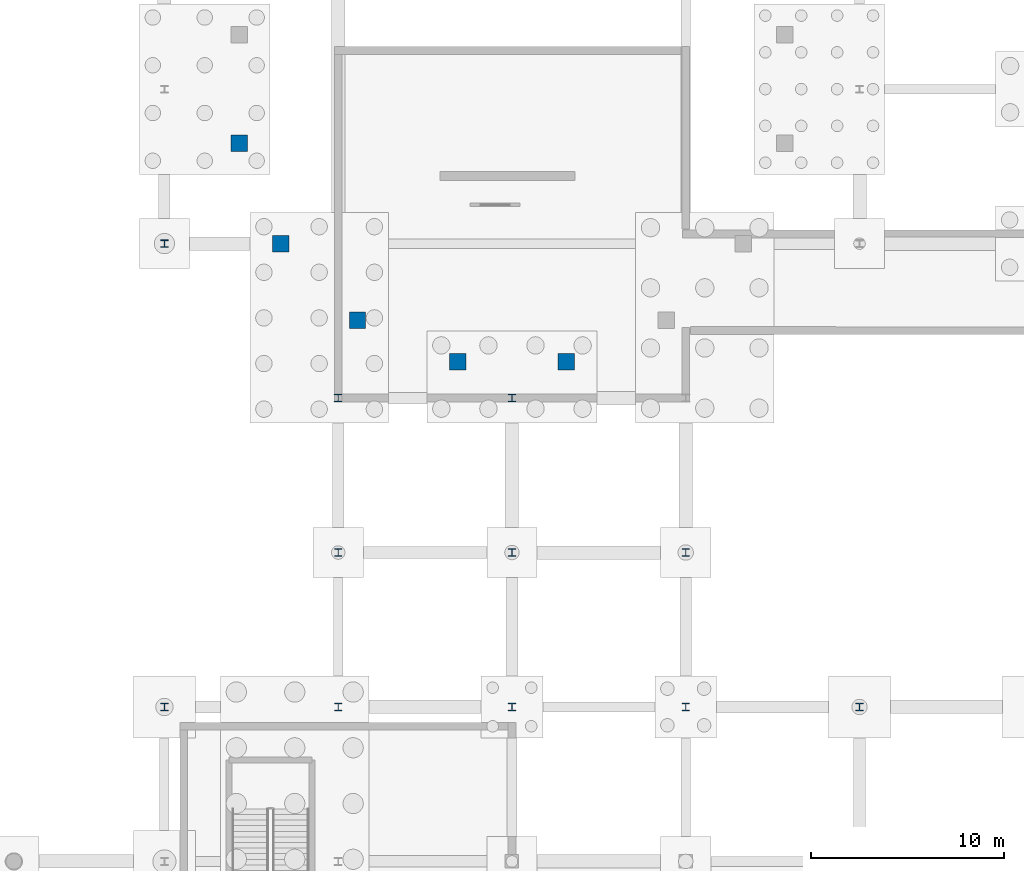
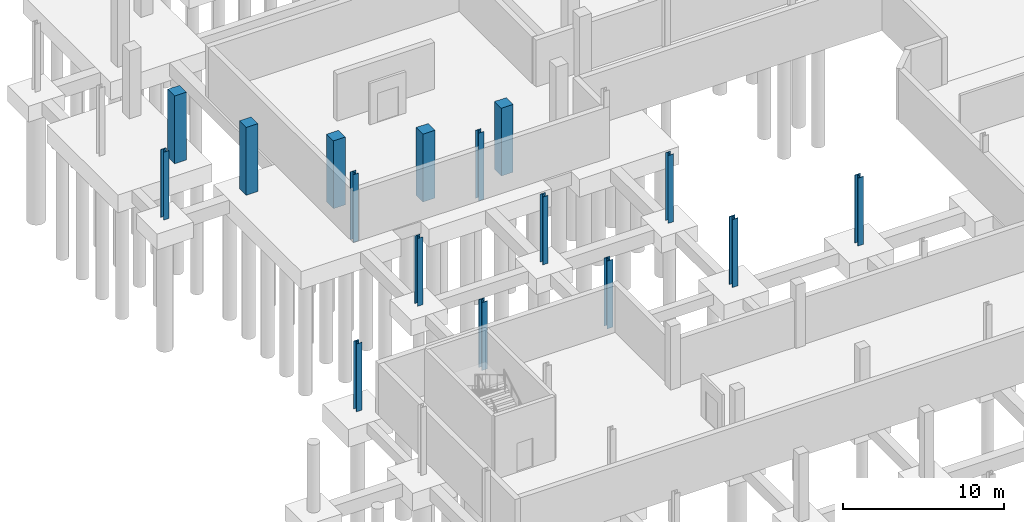
# One storey, part 13 of 37: 16 columns.
"""IFC4 building model written with IfcOpenShell, lengths in metres."""

from ifc_helpers import new_model, si_unit, direction, frame, origin, origin_2d, place, context, subcontext, project, spatial, rectangle, i_section, extrude, material, material_profile, profile_set, type_object, element, save


model = new_model("IFC4")

# Units and contexts
model_context = context("Model", 3, precision=1e-05, world=origin(), true_north=direction((0.0, 1.0)))
body_context = subcontext(model_context, "Body", "Model", "MODEL_VIEW")
ifc_project = project(units=[si_unit("LENGTHUNIT", "METRE"), si_unit("AREAUNIT", "SQUARE_METRE"), si_unit("VOLUMEUNIT", "CUBIC_METRE"), si_unit("PLANEANGLEUNIT", "RADIAN"), si_unit("MASSUNIT", "GRAM", prefix="KILO"), si_unit("THERMODYNAMICTEMPERATUREUNIT", "KELVIN"), si_unit("POWERUNIT", "WATT")], contexts=[model_context])

# Site, building, storey
site_placement = place(None, origin())
site = spatial("IfcSite", under=ifc_project, at=site_placement, CompositionType="ELEMENT")
building_placement = place(site_placement, origin())
building = spatial("IfcBuilding", under=site, at=building_placement, Name="Zelmaris Science Centre", CompositionType="ELEMENT")
storey_placement = place(building_placement, frame((0.0, 0.0, -4.800048828125)))
storey = spatial("IfcBuildingStorey", under=building, at=storey_placement, Name="B1", CompositionType="ELEMENT", Elevation=-4.800048828125)

# Columns
ifc_material_1 = material(Name="Steel ASTM A992 Grade 50", Category="steel")
ifc_material_profile_1 = material_profile(ifc_material_1, i_section(OverallWidth=0.406005859375, OverallDepth=0.4169921875, WebThickness=0.02978515625, FlangeThickness=0.04443359375, FilletRadius=0.014892578125, at=origin_2d()), Name="W14X257")
ifc_profile_set_1 = profile_set([ifc_material_profile_1], Name="Steel ASTM A992 Grade 50")
column_type_1 = type_object("IfcColumnType", Name="Column C-02 W14X257", PredefinedType="COLUMN", material=ifc_profile_set_1)
for number, where, z_axis, x_axis, name in (
    (1, (18.0, 40.0, -0.349853515625), (0.0, 0.0, 1.0), (1.0, 0.0, 0.0), "Column V3-P-18-40 B1"),
    (2, (27.0, 40.0, -0.349853515625), (0.0, 0.0, 1.0), (1.0, 0.0, 0.0), "Column V3-P-27-40 B1"),
    (3, (36.0, 40.0, -0.349853515625), (0.0, 0.0, 1.0), (1.0, 0.0, 0.0), "Column V3-P-36-40 B1"),
    (4, (45.0, 40.0, -0.349853515625), (0.0, 0.0, 1.0), (1.0, 0.0, 0.0), "Column V3-P-45-40 B1"),
):
    element("IfcColumn", number, at=place(storey_placement, frame(where, z_axis=z_axis, x_axis=x_axis)), inside=storey, type_object=column_type_1, Name=name, PredefinedType="COLUMN", context=body_context, shape_type="SweptSolid", body=[
        extrude(i_section(OverallWidth=0.406005859375, OverallDepth=0.4169921875, WebThickness=0.02978515625, FlangeThickness=0.04443359375, FilletRadius=0.014892578125, at=origin_2d()), origin(), (0.0, 0.0, 1.0), 5.14990234375),
    ])
ifc_material_profile_2 = material_profile(ifc_material_1, i_section(OverallWidth=0.39892578125, OverallDepth=0.385986328125, WebThickness=0.02099609375, FlangeThickness=0.033203125, FilletRadius=0.014892578125, at=origin_2d()), Name="W14X176")
ifc_profile_set_2 = profile_set([ifc_material_profile_2], Name="Steel ASTM A992 Grade 50")
column_type_2 = type_object("IfcColumnType", Name="Column C-04 W14X176", PredefinedType="COLUMN", material=ifc_profile_set_2)
column_placement = place(storey_placement, frame((9.0, 40.0, -0.349853515625), z_axis=(0.0, 0.0, 1.0), x_axis=(1.0, 0.0, 0.0)))
element("IfcColumn", 5, at=column_placement, inside=storey, type_object=column_type_2, Name="Column V3-P-9-40 B1", PredefinedType="COLUMN", context=body_context, shape_type="SweptSolid", body=[
    extrude(i_section(OverallWidth=0.39892578125, OverallDepth=0.385986328125, WebThickness=0.02099609375, FlangeThickness=0.033203125, FilletRadius=0.014892578125, at=origin_2d()), origin(), (0.0, 0.0, 1.0), 5.14990234375),
])
ifc_material_profile_3 = material_profile(ifc_material_1, i_section(OverallWidth=0.39404296875, OverallDepth=0.3759765625, WebThickness=0.017333984375, FlangeThickness=0.027587890625, FilletRadius=0.014892578125, at=origin_2d()), Name="W14X145")
ifc_profile_set_3 = profile_set([ifc_material_profile_3], Name="Steel ASTM A992 Grade 50")
column_type_3 = type_object("IfcColumnType", Name="Column C-05 W14X145", PredefinedType="COLUMN", material=ifc_profile_set_3)
for number, where, z_axis, x_axis, name in (
    (6, (18.0, 56.0, -0.349853515625), (0.0, 0.0, 1.0), (1.0, 0.0, 0.0), "Column V1-PC01 B1"),
    (7, (27.0, 56.0, -0.349853515625), (0.0, 0.0, 1.0), (1.0, 0.0, 0.0), "Column V1-PC02 B1"),
    (8, (9.0, 64.0, -0.349853515625), (0.0, 0.0, 1.0), (1.0, 0.0, 0.0), "Column V1-PC07 B1"),
):
    element("IfcColumn", number, at=place(storey_placement, frame(where, z_axis=z_axis, x_axis=x_axis)), inside=storey, type_object=column_type_3, Name=name, PredefinedType="COLUMN", context=body_context, shape_type="SweptSolid", body=[
        extrude(i_section(OverallWidth=0.39404296875, OverallDepth=0.3759765625, WebThickness=0.017333984375, FlangeThickness=0.027587890625, FilletRadius=0.014892578125, at=origin_2d()), origin(), (0.0, 0.0, 1.0), 5.14990234375),
    ])
ifc_material_profile_4 = material_profile(ifc_material_1, i_section(OverallWidth=0.373046875, OverallDepth=0.367919921875, WebThickness=0.014892578125, FlangeThickness=0.02392578125, FilletRadius=0.014892578125, at=origin_2d()), Name="W14X120")
ifc_profile_set_4 = profile_set([ifc_material_profile_4], Name="Steel ASTM A992 Grade 50")
column_type_4 = type_object("IfcColumnType", Name="Column C-06 W14X120", PredefinedType="COLUMN", material=ifc_profile_set_4)
for number, where, z_axis, x_axis, name in (
    (9, (18.0, 48.0, -0.349853515625), (0.0, 0.0, 1.0), (1.0, 0.0, 0.0), "Column WL-C-18-48 B1"),
    (10, (27.0, 48.0, -0.349853515625), (0.0, 0.0, 1.0), (1.0, 0.0, 0.0), "Column WL-C-27-48 B1"),
    (11, (36.0, 48.0, -0.349853515625), (0.0, 0.0, 1.0), (1.0, 0.0, 0.0), "Column WL-C-36-48 B1"),
):
    element("IfcColumn", number, at=place(storey_placement, frame(where, z_axis=z_axis, x_axis=x_axis)), inside=storey, type_object=column_type_4, Name=name, PredefinedType="COLUMN", context=body_context, shape_type="SweptSolid", body=[
        extrude(i_section(OverallWidth=0.373046875, OverallDepth=0.367919921875, WebThickness=0.014892578125, FlangeThickness=0.02392578125, FilletRadius=0.014892578125, at=origin_2d()), origin(), (0.0, 0.0, 1.0), 5.14990234375),
    ])
ifc_material_2 = material(Name="Concrete C40/50", Category="concrete")
ifc_material_profile_5 = material_profile(ifc_material_2, rectangle(XDim=0.85009765625, YDim=0.85009765625, at=origin_2d()), Name="RC-COL-850X850")
ifc_profile_set_5 = profile_set([ifc_material_profile_5], Name="Concrete C40/50")
column_type_5 = type_object("IfcColumnType", Name="Column C-14 RC-COL-850X850", PredefinedType="COLUMN", material=ifc_profile_set_5)
for number, where, z_axis, x_axis, name in (
    (12, (12.876708984375, 69.190673828125, -0.349853515625), (0.0, 0.0, 1.0), (1.0, 0.0, 0.0), "Column V1-DC09 B1"),
    (13, (15.02685546875, 63.999755859375, -0.349853515625), (0.0, 0.0, 1.0), (1.0, 0.0, 0.0), "Column V1-DC10 B1"),
    (14, (18.999755859375, 60.02685546875, -0.349853515625), (0.0, 0.0, 1.0), (1.0, 0.0, 0.0), "Column V1-DC11 B1"),
    (15, (24.190673828125, 57.876708984375, -0.349853515625), (0.0, 0.0, 1.0), (1.0, 0.0, 0.0), "Column V1-DC12 B1"),
    (16, (29.809326171875, 57.876708984375, -0.349853515625), (0.0, 0.0, 1.0), (1.0, 0.0, 0.0), "Column V1-DC13 B1"),
):
    element("IfcColumn", number, at=place(storey_placement, frame(where, z_axis=z_axis, x_axis=x_axis)), inside=storey, type_object=column_type_5, Name=name, PredefinedType="COLUMN", context=body_context, shape_type="SweptSolid", body=[
        extrude(rectangle(XDim=0.85009765625, YDim=0.85009765625, at=origin_2d()), origin(), (0.0, 0.0, 1.0), 5.14990234375),
    ])

save(model, "model.ifc")
